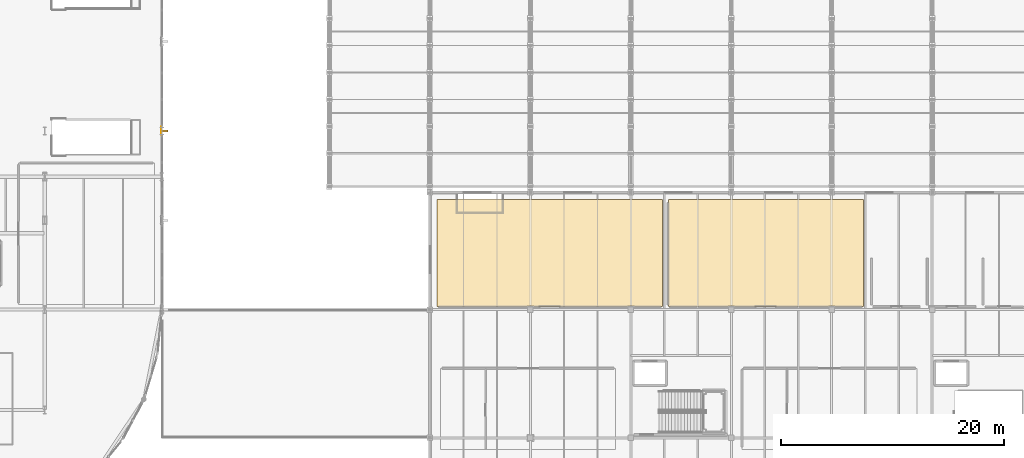
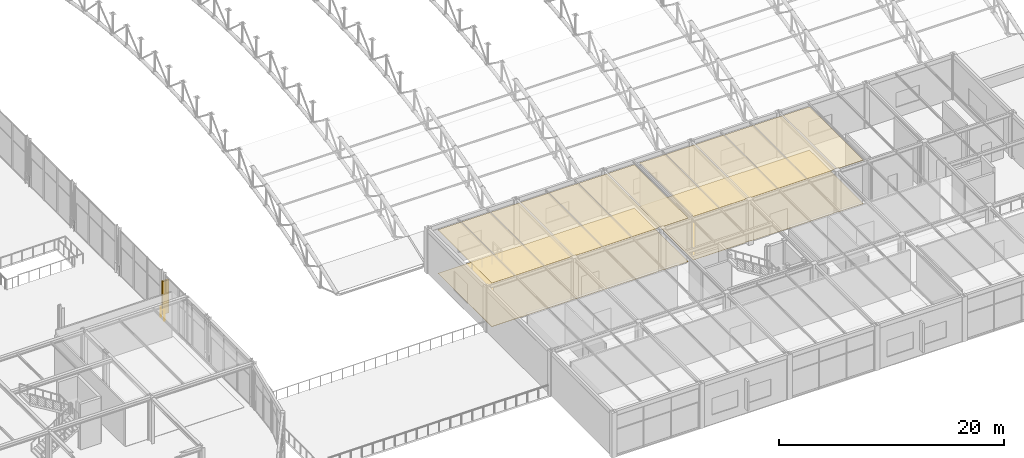
# One storey, part 187 of 195: 4 coverings, 1 railing, 1 shading device.
"""IFC4 building model written with IfcOpenShell, lengths in metres."""

from ifc_helpers import new_model, si_unit, direction, frame, origin, origin_2d, place, context, subcontext, project, spatial, polyline, rectangle, circle, outline, extrude, material, layer, layer_set, type_object, element, save


model = new_model("IFC4")

# Units and contexts
model_context = context("Model", 3, precision=1e-05, world=origin(), true_north=direction((0.0, 1.0)))
body_context = subcontext(model_context, "Body", "Model", "MODEL_VIEW")
ifc_project = project(units=[si_unit("LENGTHUNIT", "METRE"), si_unit("AREAUNIT", "SQUARE_METRE"), si_unit("VOLUMEUNIT", "CUBIC_METRE"), si_unit("PLANEANGLEUNIT", "RADIAN"), si_unit("MASSUNIT", "GRAM", prefix="KILO")], contexts=[model_context])

# Site, building, storey
site_placement = place(None, origin())
site = spatial("IfcSite", under=ifc_project, at=site_placement, CompositionType="ELEMENT")
building_placement = place(site_placement, origin())
building = spatial("IfcBuilding", under=site, at=building_placement, Name="Marlcrest Central Station", CompositionType="ELEMENT")
storey_placement = place(building_placement, frame((0.0, 0.0, 9.800048828125)))
storey = spatial("IfcBuildingStorey", under=building, at=storey_placement, Name="L02", CompositionType="ELEMENT", Elevation=9.800048828125)

# Coverings
ifc_material_1 = material(Name="Perforated acoustic mineral-fibre ceiling")
ifc_layer_1 = layer(ifc_material_1, 0.02490234375, Name="CV-CLG")
ifc_layer_set_1 = layer_set([ifc_layer_1], Name="Perforated acoustic mineral-fibre ceiling")
covering_type_1 = type_object("IfcCoveringType", Name="CV-CLG", PredefinedType="CEILING", material=ifc_layer_set_1)
covering_1_placement = place(storey_placement, frame((0.0, 0.0, 4.724853515625)))
element("IfcCovering", 1, at=covering_1_placement, inside=storey, type_object=covering_type_1, Name="cov-clg-0105", PredefinedType="CEILING", context=body_context, shape_type="SweptSolid", body=[
    extrude(outline(polyline([(153.659912109375, 32.340087890625), (173.840087890625, 32.340087890625), (173.840087890625, 22.760009765625), (171.31005859375, 22.760009765625), (171.31005859375, 22.81005859375), (170.68994140625, 22.81005859375), (170.68994140625, 22.760009765625), (162.31005859375, 22.760009765625), (162.31005859375, 22.81005859375), (161.68994140625, 22.81005859375), (161.68994140625, 22.760009765625), (153.659912109375, 22.760009765625), (153.659912109375, 32.340087890625)])), origin(), (0.0, 0.0, 1.0), 0.025146484375),
])
covering_2_placement = place(storey_placement, frame((0.0, 0.0, 4.724853515625)))
element("IfcCovering", 2, at=covering_2_placement, inside=storey, type_object=covering_type_1, Name="cov-clg-0107", PredefinedType="CEILING", context=body_context, shape_type="SweptSolid", body=[
    extrude(outline(polyline([(174.360107421875, 32.340087890625), (191.840087890625, 32.340087890625), (191.840087890625, 22.760009765625), (189.31005859375, 22.760009765625), (189.31005859375, 22.81005859375), (188.68994140625, 22.81005859375), (188.68994140625, 22.760009765625), (180.31005859375, 22.760009765625), (180.31005859375, 22.81005859375), (179.68994140625, 22.81005859375), (179.68994140625, 22.760009765625), (174.360107421875, 22.760009765625), (174.360107421875, 32.340087890625)])), origin(), (0.0, 0.0, 1.0), 0.025146484375),
])
ifc_material_2 = material(Name="Polished terrazzo and tactile transit flooring")
ifc_layer_2 = layer(ifc_material_2, 0.030029296875, Name="CV-FLR")
ifc_layer_set_2 = layer_set([ifc_layer_2], Name="Polished terrazzo and tactile transit flooring")
covering_type_2 = type_object("IfcCoveringType", Name="CV-FLR", PredefinedType="FLOORING", material=ifc_layer_set_2)
covering_3_placement = place(storey_placement, origin())
element("IfcCovering", 3, at=covering_3_placement, inside=storey, type_object=covering_type_2, Name="cov-flr-0106", PredefinedType="FLOORING", context=body_context, shape_type="SweptSolid", body=[
    extrude(outline(polyline([(153.659912109375, 32.340087890625), (173.840087890625, 32.340087890625), (173.840087890625, 22.760009765625), (171.31005859375, 22.760009765625), (171.31005859375, 22.81005859375), (170.68994140625, 22.81005859375), (170.68994140625, 22.760009765625), (162.31005859375, 22.760009765625), (162.31005859375, 22.81005859375), (161.68994140625, 22.81005859375), (161.68994140625, 22.760009765625), (153.659912109375, 22.760009765625), (153.659912109375, 32.340087890625)])), origin(), (0.0, 0.0, 1.0), 0.030029296875),
])
covering_4_placement = place(storey_placement, origin())
element("IfcCovering", 4, at=covering_4_placement, inside=storey, type_object=covering_type_2, Name="cov-flr-0108", PredefinedType="FLOORING", context=body_context, shape_type="SweptSolid", body=[
    extrude(outline(polyline([(174.360107421875, 32.340087890625), (191.840087890625, 32.340087890625), (191.840087890625, 22.760009765625), (189.31005859375, 22.760009765625), (189.31005859375, 22.81005859375), (188.68994140625, 22.81005859375), (188.68994140625, 22.760009765625), (180.31005859375, 22.760009765625), (180.31005859375, 22.81005859375), (179.68994140625, 22.81005859375), (179.68994140625, 22.760009765625), (174.360107421875, 22.760009765625), (174.360107421875, 32.340087890625)])), origin(), (0.0, 0.0, 1.0), 0.030029296875),
])

# Railing
ifc_material_3 = material(Name="Stainless steel and laminated glass concourse balustrade", Category="steel")
railing_type = type_object("IfcRailingType", Name="GR-02", PredefinedType="BALUSTRADE", material=ifc_material_3)
railing_placement = place(storey_placement, frame((128.93994140625, 38.840087890625, 0.0)))
element("IfcRailing", 5, at=railing_placement, inside=storey, type_object=railing_type, Name="hr-L02-00509", PredefinedType="BALUSTRADE", context=body_context, shape_type="SweptSolid", body=[
    extrude(circle(Radius=0.02392578125, at=origin_2d()), frame((0.0, 0.0, 1.09619140625), z_axis=(0.0, -1.0, 0.0), x_axis=(1.0, 0.0, 0.0)), (0.0, 0.0, 1.0), 0.68017578125),
    extrude(circle(Radius=0.02099609375, at=origin_2d()), origin(), (0.0, 0.0, 1.0), 1.072021484375),
    extrude(circle(Radius=0.02099609375, at=origin_2d()), frame((0.0, -0.68017578125, 0.0)), (0.0, 0.0, 1.0), 1.072021484375),
])

# Shading device
ifc_material_4 = material(Name="Precast concrete C40/50", Category="concrete")
shading_device_type = type_object("IfcShadingDeviceType", Name="SD-BS1", PredefinedType="USERDEFINED", material=ifc_material_4)
shading_device_placement = place(storey_placement, frame((129.199951171875, 38.5, 0.5), z_axis=(0.0, 0.0, 1.0), x_axis=(0.0, 1.0, 0.0)))
element("IfcShadingDevice", 6, at=shading_device_placement, inside=storey, type_object=shading_device_type, Name="shd-L02-0006", ObjectType="BRISE_SOLEIL", PredefinedType="USERDEFINED", context=body_context, shape_type="SweptSolid", body=[
    extrude(rectangle(XDim=0.179931640625, YDim=0.64990234375, at=origin_2d()), origin(), (0.0, 0.0, 1.0), 3.60009765625),
])

save(model, "model.ifc")
